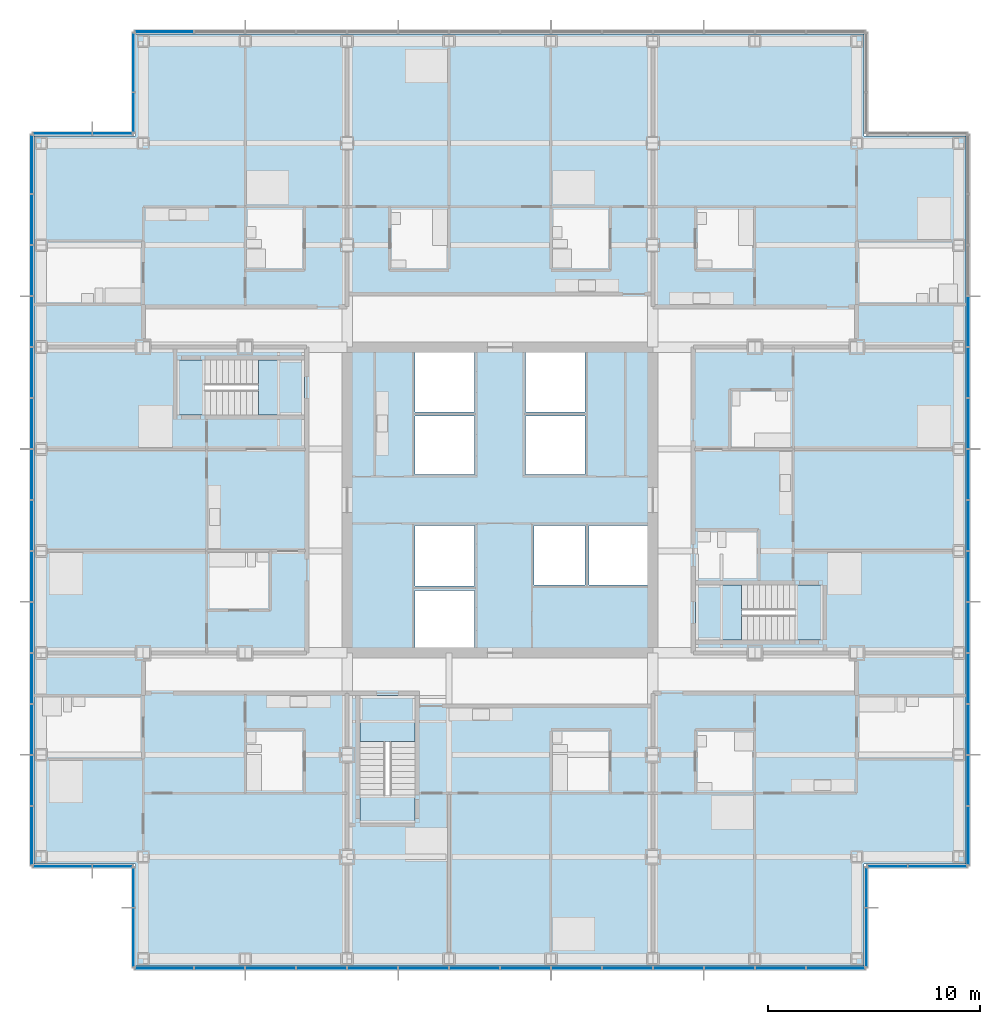
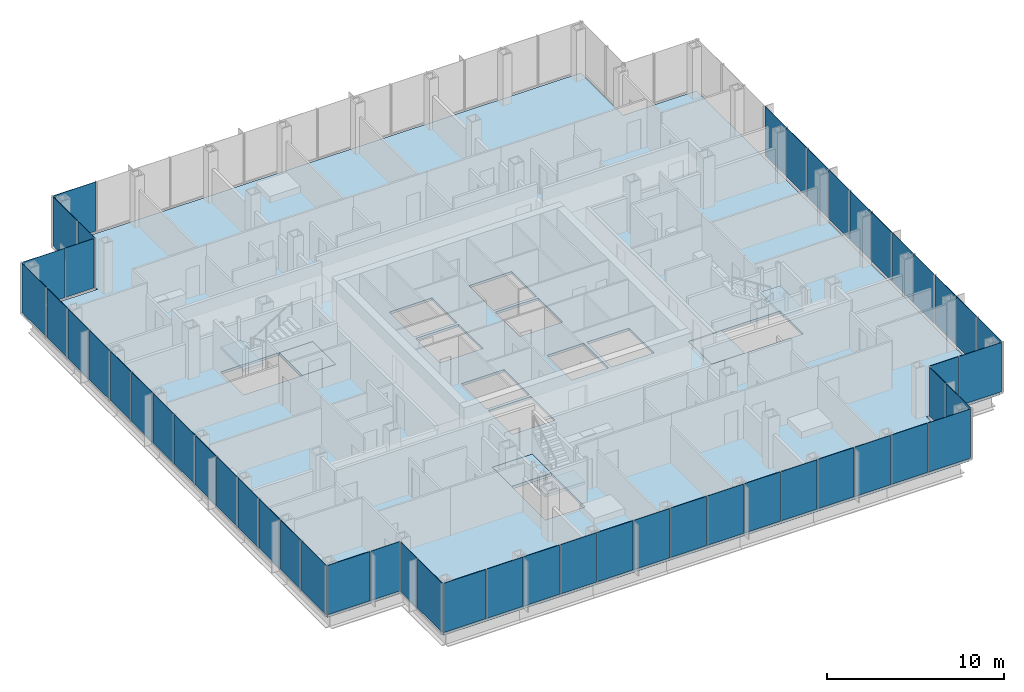
# One storey, part 12 of 21: 52 plates, 7 slabs, 13 elements without a shape of their own.
"""IFC4 building model written with IfcOpenShell, lengths in metres."""

from ifc_helpers import new_model, si_unit, direction, frame, origin, origin_2d, place, context, subcontext, project, spatial, polyline, rectangle, outline, extrude, material, layer, layer_set, type_object, element, aggregate, save


model = new_model("IFC4")

# Units and contexts
model_context = context("Model", 3, precision=1e-05, world=origin(), true_north=direction((0.0, 1.0)))
body_context = subcontext(model_context, "Body", "Model", "MODEL_VIEW")
ifc_project = project(units=[si_unit("LENGTHUNIT", "METRE"), si_unit("AREAUNIT", "SQUARE_METRE"), si_unit("VOLUMEUNIT", "CUBIC_METRE"), si_unit("PLANEANGLEUNIT", "RADIAN"), si_unit("MASSUNIT", "GRAM", prefix="KILO")], contexts=[model_context])

# Site, building, storey
site_placement = place(None, origin())
site = spatial("IfcSite", under=ifc_project, at=site_placement, CompositionType="ELEMENT")
building_placement = place(site_placement, origin())
building = spatial("IfcBuilding", under=site, at=building_placement, Name="Kvirike Care Tower", CompositionType="ELEMENT")
storey_placement = place(building_placement, frame((0.0, 0.0, 65.5)))
storey = spatial("IfcBuildingStorey", under=building, at=storey_placement, Name="L17", CompositionType="ELEMENT", Elevation=65.5)

# Slab
ifc_material_1 = material(Name="Concrete C35/45", Category="concrete")
ifc_layer_1 = layer(ifc_material_1, 0.169921875)
ifc_layer_set_1 = layer_set([ifc_layer_1], Name="FLOOR SLAB 170")
slab_type_1 = type_object("IfcSlabType", Name="FLOOR SLAB 170", PredefinedType="FLOOR", material=ifc_layer_set_1)
slab_1_placement = place(storey_placement, frame((0.0, 0.0, -0.169921875)))
element("IfcSlab", 1, at=slab_1_placement, inside=storey, type_object=slab_type_1, Name="Floor slab L17", PredefinedType="FLOOR", context=body_context, shape_type="SweptSolid", body=[
    extrude(outline(polyline([(-0.35009765625, 53.14990234375), (-0.35009765625, 18.85009765625), (4.449951171875, 18.85009765625), (4.449951171875, 14.050048828125), (38.75, 14.050048828125), (38.75, 18.85009765625), (43.550048828125, 18.85009765625), (43.550048828125, 53.14990234375), (38.75, 53.14990234375), (38.75, 57.949951171875), (4.449951171875, 57.949951171875), (4.449951171875, 53.14990234375), (-0.35009765625, 53.14990234375)]), holes=[polyline([(17.60009765625, 29.050048828125), (17.60009765625, 31.75), (20.39990234375, 31.75), (20.39990234375, 29.050048828125), (17.60009765625, 29.050048828125)]), polyline([(17.60009765625, 31.949951171875), (17.60009765625, 34.800048828125), (20.39990234375, 34.800048828125), (20.39990234375, 31.949951171875), (17.60009765625, 31.949951171875)]), polyline([(17.60009765625, 37.199951171875), (17.60009765625, 39.949951171875), (20.39990234375, 39.949951171875), (20.39990234375, 37.199951171875), (17.60009765625, 37.199951171875)]), polyline([(17.60009765625, 40.14990234375), (17.60009765625, 42.949951171875), (20.39990234375, 42.949951171875), (20.39990234375, 40.14990234375), (17.60009765625, 40.14990234375)]), polyline([(22.800048828125, 37.199951171875), (22.800048828125, 39.949951171875), (25.60009765625, 39.949951171875), (25.60009765625, 37.199951171875), (22.800048828125, 37.199951171875)]), polyline([(22.800048828125, 40.14990234375), (22.800048828125, 42.949951171875), (25.60009765625, 42.949951171875), (25.60009765625, 40.14990234375), (22.800048828125, 40.14990234375)]), polyline([(23.199951171875, 32.0), (23.199951171875, 34.800048828125), (25.60009765625, 34.800048828125), (25.60009765625, 32.0), (23.199951171875, 32.0)]), polyline([(25.800048828125, 32.0), (25.800048828125, 34.800048828125), (28.550048828125, 34.800048828125), (28.550048828125, 32.0), (25.800048828125, 32.0)]), polyline([(12.39990234375, 42.60009765625), (12.39990234375, 40.0), (6.39990234375, 40.0), (6.39990234375, 42.60009765625), (12.39990234375, 42.60009765625)]), polyline([(30.800048828125, 29.39990234375), (30.800048828125, 32.0), (36.800048828125, 32.0), (36.800048828125, 29.39990234375), (30.800048828125, 29.39990234375)]), polyline([(15.0, 26.800048828125), (17.60009765625, 26.800048828125), (17.60009765625, 20.800048828125), (15.0, 20.800048828125), (15.0, 26.800048828125)])]), origin(), (0.0, 0.0, 1.0), 0.169921875),
])

# Stair, slabs
ifc_material_2 = material(Name="Concrete C35/45", Category="concrete")
stair_type = type_object("IfcStairType", Name="STAIR 20 RISERS", PredefinedType="HALF_TURN_STAIR", material=ifc_material_2)
stair_1_placement = place(storey_placement, origin())
stair_1 = element("IfcStair", 2, at=stair_1_placement, inside=storey, type_object=stair_type, Name="Stair 1 L17", PredefinedType="HALF_TURN_STAIR")
ifc_material_3 = material(Name="Concrete C35/45", Category="concrete")
ifc_layer_2 = layer(ifc_material_3, 0.199951171875)
ifc_layer_set_2 = layer_set([ifc_layer_2], Name="STAIR LANDING 200")
slab_type_2 = type_object("IfcSlabType", Name="STAIR LANDING 200", PredefinedType="LANDING", material=ifc_layer_set_2)
slab_2_placement = place(storey_placement, frame((0.0, 0.0, -0.199951171875)))
slab_2 = element("IfcSlab", 3, at=slab_2_placement, type_object=slab_type_2, Name="Stair S1 floor landing L17", PredefinedType="LANDING", context=body_context, shape_type="SweptSolid", body=[
    extrude(outline(polyline([(10.219970703125, 42.60009765625), (10.219970703125, 40.0), (12.39990234375, 40.0), (12.39990234375, 42.60009765625), (10.219970703125, 42.60009765625)])), origin(), (0.0, 0.0, 1.0), 0.199951171875),
])
slab_3_placement = place(storey_placement, frame((0.0, 0.0, 1.550048828125)))
slab_3 = element("IfcSlab", 4, at=slab_3_placement, type_object=slab_type_2, Name="Stair S1 half landing L17-L18", PredefinedType="LANDING", context=body_context, shape_type="SweptSolid", body=[
    extrude(outline(polyline([(6.39990234375, 42.60009765625), (6.39990234375, 40.0), (7.699951171875, 40.0), (7.699951171875, 42.60009765625), (6.39990234375, 42.60009765625)])), origin(), (0.0, 0.0, 1.0), 0.199951171875),
])
aggregate(stair_1, [slab_2, slab_3])

stair_2_placement = place(storey_placement, origin())
stair_2 = element("IfcStair", 5, at=stair_2_placement, inside=storey, type_object=stair_type, Name="Stair 2 L17", PredefinedType="HALF_TURN_STAIR")
slab_4_placement = place(storey_placement, frame((0.0, 0.0, -0.199951171875)))
slab_4 = element("IfcSlab", 6, at=slab_4_placement, type_object=slab_type_2, Name="Stair S2 floor landing L17", PredefinedType="LANDING", context=body_context, shape_type="SweptSolid", body=[
    extrude(outline(polyline([(32.97998046875, 29.39990234375), (32.97998046875, 32.0), (30.800048828125, 32.0), (30.800048828125, 29.39990234375), (32.97998046875, 29.39990234375)])), origin(), (0.0, 0.0, 1.0), 0.199951171875),
])
slab_5_placement = place(storey_placement, frame((0.0, 0.0, 1.550048828125)))
slab_5 = element("IfcSlab", 7, at=slab_5_placement, type_object=slab_type_2, Name="Stair S2 half landing L17-L18", PredefinedType="LANDING", context=body_context, shape_type="SweptSolid", body=[
    extrude(outline(polyline([(36.800048828125, 29.39990234375), (36.800048828125, 32.0), (35.5, 32.0), (35.5, 29.39990234375), (36.800048828125, 29.39990234375)])), origin(), (0.0, 0.0, 1.0), 0.199951171875),
])
aggregate(stair_2, [slab_4, slab_5])

stair_3_placement = place(storey_placement, origin())
stair_3 = element("IfcStair", 8, at=stair_3_placement, inside=storey, type_object=stair_type, Name="Stair 5 L17", PredefinedType="HALF_TURN_STAIR")
slab_6_placement = place(storey_placement, frame((0.0, 0.0, -0.199951171875)))
slab_6 = element("IfcSlab", 9, at=slab_6_placement, type_object=slab_type_2, Name="Stair S5 floor landing L17", PredefinedType="LANDING", context=body_context, shape_type="SweptSolid", body=[
    extrude(outline(polyline([(15.0, 24.6201171875), (17.60009765625, 24.6201171875), (17.60009765625, 26.800048828125), (15.0, 26.800048828125), (15.0, 24.6201171875)])), origin(), (0.0, 0.0, 1.0), 0.199951171875),
])
slab_7_placement = place(storey_placement, frame((0.0, 0.0, 1.550048828125)))
slab_7 = element("IfcSlab", 10, at=slab_7_placement, type_object=slab_type_2, Name="Stair S5 half landing L17-L18", PredefinedType="LANDING", context=body_context, shape_type="SweptSolid", body=[
    extrude(outline(polyline([(15.0, 20.800048828125), (17.60009765625, 20.800048828125), (17.60009765625, 22.10009765625), (15.0, 22.10009765625), (15.0, 20.800048828125)])), origin(), (0.0, 0.0, 1.0), 0.199951171875),
])
aggregate(stair_3, [slab_6, slab_7])

# Curtain wall, plates
ifc_material_4 = material(Name="Anodised aluminium stick system", Category="aluminium")
curtain_wall_type = type_object("IfcCurtainWallType", Name="CW-A STICK CURTAIN WALL", PredefinedType="NOTDEFINED", material=ifc_material_4)
curtain_wall_1_placement = place(storey_placement, origin())
curtain_wall_1 = element("IfcCurtainWall", 11, at=curtain_wall_1_placement, inside=storey, type_object=curtain_wall_type, Name="Curtain wall L17 face 1", PredefinedType="NOTDEFINED")
ifc_material_5 = material(Name="Tinted double glazed unit", Category="glass")
ifc_layer_3 = layer(ifc_material_5, 0.031982421875)
ifc_layer_set_3 = layer_set([ifc_layer_3], Name="TINTED VISION PANEL 32")
plate_type = type_object("IfcPlateType", Name="TINTED VISION PANEL 32", PredefinedType="CURTAIN_PANEL", material=ifc_layer_set_3)
plate_1_placement = place(storey_placement, frame((-0.449951171875, 51.808837890625, 0.10009765625), z_axis=(0.0, 0.0, 1.0), x_axis=(0.0, -1.0, 0.0)))
plate_1 = element("IfcPlate", 12, at=plate_1_placement, type_object=plate_type, Name="CW-A panel L17 face 1.1", PredefinedType="CURTAIN_PANEL", context=body_context, shape_type="SweptSolid", body=[
    extrude(rectangle(XDim=2.75244140625, YDim=0.031982421875, at=origin_2d()), origin(), (0.0, 0.0, 1.0), 3.39990234375),
])
plate_2_placement = place(storey_placement, frame((-0.449951171875, 49.199951171875, 0.10009765625), z_axis=(0.0, 0.0, 1.0), x_axis=(0.0, -1.0, 0.0)))
plate_2 = element("IfcPlate", 13, at=plate_2_placement, type_object=plate_type, Name="CW-A panel L17 face 1.2", PredefinedType="CURTAIN_PANEL", context=body_context, shape_type="SweptSolid", body=[
    extrude(rectangle(XDim=2.3349609375, YDim=0.031982421875, at=origin_2d()), origin(), (0.0, 0.0, 1.0), 3.39990234375),
])
plate_3_placement = place(storey_placement, frame((-0.449951171875, 46.800048828125, 0.10009765625), z_axis=(0.0, 0.0, 1.0), x_axis=(0.0, -1.0, 0.0)))
plate_3 = element("IfcPlate", 14, at=plate_3_placement, type_object=plate_type, Name="CW-A panel L17 face 1.3", PredefinedType="CURTAIN_PANEL", context=body_context, shape_type="SweptSolid", body=[
    extrude(rectangle(XDim=2.3349609375, YDim=0.031982421875, at=origin_2d()), origin(), (0.0, 0.0, 1.0), 3.39990234375),
])
plate_4_placement = place(storey_placement, frame((-0.449951171875, 44.39990234375, 0.10009765625), z_axis=(0.0, 0.0, 1.0), x_axis=(0.0, -1.0, 0.0)))
plate_4 = element("IfcPlate", 15, at=plate_4_placement, type_object=plate_type, Name="CW-A panel L17 face 1.4", PredefinedType="CURTAIN_PANEL", context=body_context, shape_type="SweptSolid", body=[
    extrude(rectangle(XDim=2.3349609375, YDim=0.031982421875, at=origin_2d()), origin(), (0.0, 0.0, 1.0), 3.39990234375),
])
plate_5_placement = place(storey_placement, frame((-0.449951171875, 42.0, 0.10009765625), z_axis=(0.0, 0.0, 1.0), x_axis=(0.0, -1.0, 0.0)))
plate_5 = element("IfcPlate", 16, at=plate_5_placement, type_object=plate_type, Name="CW-A panel L17 face 1.5", PredefinedType="CURTAIN_PANEL", context=body_context, shape_type="SweptSolid", body=[
    extrude(rectangle(XDim=2.3349609375, YDim=0.031982421875, at=origin_2d()), origin(), (0.0, 0.0, 1.0), 3.39990234375),
])
plate_6_placement = place(storey_placement, frame((-0.449951171875, 39.60009765625, 0.10009765625), z_axis=(0.0, 0.0, 1.0), x_axis=(0.0, -1.0, 0.0)))
plate_6 = element("IfcPlate", 17, at=plate_6_placement, type_object=plate_type, Name="CW-A panel L17 face 1.6", PredefinedType="CURTAIN_PANEL", context=body_context, shape_type="SweptSolid", body=[
    extrude(rectangle(XDim=2.3349609375, YDim=0.031982421875, at=origin_2d()), origin(), (0.0, 0.0, 1.0), 3.39990234375),
])
plate_7_placement = place(storey_placement, frame((-0.449951171875, 37.199951171875, 0.10009765625), z_axis=(0.0, 0.0, 1.0), x_axis=(0.0, -1.0, 0.0)))
plate_7 = element("IfcPlate", 18, at=plate_7_placement, type_object=plate_type, Name="CW-A panel L17 face 1.7", PredefinedType="CURTAIN_PANEL", context=body_context, shape_type="SweptSolid", body=[
    extrude(rectangle(XDim=2.3349609375, YDim=0.031982421875, at=origin_2d()), origin(), (0.0, 0.0, 1.0), 3.39990234375),
])
plate_8_placement = place(storey_placement, frame((-0.449951171875, 34.800048828125, 0.10009765625), z_axis=(0.0, 0.0, 1.0), x_axis=(0.0, -1.0, 0.0)))
plate_8 = element("IfcPlate", 19, at=plate_8_placement, type_object=plate_type, Name="CW-A panel L17 face 1.8", PredefinedType="CURTAIN_PANEL", context=body_context, shape_type="SweptSolid", body=[
    extrude(rectangle(XDim=2.3349609375, YDim=0.031982421875, at=origin_2d()), origin(), (0.0, 0.0, 1.0), 3.39990234375),
])
plate_9_placement = place(storey_placement, frame((-0.449951171875, 32.39990234375, 0.10009765625), z_axis=(0.0, 0.0, 1.0), x_axis=(0.0, -1.0, 0.0)))
plate_9 = element("IfcPlate", 20, at=plate_9_placement, type_object=plate_type, Name="CW-A panel L17 face 1.9", PredefinedType="CURTAIN_PANEL", context=body_context, shape_type="SweptSolid", body=[
    extrude(rectangle(XDim=2.3349609375, YDim=0.031982421875, at=origin_2d()), origin(), (0.0, 0.0, 1.0), 3.39990234375),
])
plate_10_placement = place(storey_placement, frame((-0.449951171875, 30.0, 0.10009765625), z_axis=(0.0, 0.0, 1.0), x_axis=(0.0, -1.0, 0.0)))
plate_10 = element("IfcPlate", 21, at=plate_10_placement, type_object=plate_type, Name="CW-A panel L17 face 1.10", PredefinedType="CURTAIN_PANEL", context=body_context, shape_type="SweptSolid", body=[
    extrude(rectangle(XDim=2.3349609375, YDim=0.031982421875, at=origin_2d()), origin(), (0.0, 0.0, 1.0), 3.39990234375),
])
plate_11_placement = place(storey_placement, frame((-0.449951171875, 27.60009765625, 0.10009765625), z_axis=(0.0, 0.0, 1.0), x_axis=(0.0, -1.0, 0.0)))
plate_11 = element("IfcPlate", 22, at=plate_11_placement, type_object=plate_type, Name="CW-A panel L17 face 1.11", PredefinedType="CURTAIN_PANEL", context=body_context, shape_type="SweptSolid", body=[
    extrude(rectangle(XDim=2.3349609375, YDim=0.031982421875, at=origin_2d()), origin(), (0.0, 0.0, 1.0), 3.39990234375),
])
plate_12_placement = place(storey_placement, frame((-0.449951171875, 25.199951171875, 0.10009765625), z_axis=(0.0, 0.0, 1.0), x_axis=(0.0, -1.0, 0.0)))
plate_12 = element("IfcPlate", 23, at=plate_12_placement, type_object=plate_type, Name="CW-A panel L17 face 1.12", PredefinedType="CURTAIN_PANEL", context=body_context, shape_type="SweptSolid", body=[
    extrude(rectangle(XDim=2.3349609375, YDim=0.031982421875, at=origin_2d()), origin(), (0.0, 0.0, 1.0), 3.39990234375),
])
plate_13_placement = place(storey_placement, frame((-0.449951171875, 22.800048828125, 0.10009765625), z_axis=(0.0, 0.0, 1.0), x_axis=(0.0, -1.0, 0.0)))
plate_13 = element("IfcPlate", 24, at=plate_13_placement, type_object=plate_type, Name="CW-A panel L17 face 1.13", PredefinedType="CURTAIN_PANEL", context=body_context, shape_type="SweptSolid", body=[
    extrude(rectangle(XDim=2.3349609375, YDim=0.031982421875, at=origin_2d()), origin(), (0.0, 0.0, 1.0), 3.39990234375),
])
plate_14_placement = place(storey_placement, frame((-0.449951171875, 20.191162109375, 0.10009765625), z_axis=(0.0, 0.0, 1.0), x_axis=(0.0, -1.0, 0.0)))
plate_14 = element("IfcPlate", 25, at=plate_14_placement, type_object=plate_type, Name="CW-A panel L17 face 1.14", PredefinedType="CURTAIN_PANEL", context=body_context, shape_type="SweptSolid", body=[
    extrude(rectangle(XDim=2.75244140625, YDim=0.031982421875, at=origin_2d()), origin(), (0.0, 0.0, 1.0), 3.39990234375),
])
aggregate(curtain_wall_1, [plate_1, plate_2, plate_3, plate_4, plate_5, plate_6, plate_7, plate_8, plate_9, plate_10, plate_11, plate_12, plate_13, plate_14])

curtain_wall_2_placement = place(storey_placement, origin())
curtain_wall_2 = element("IfcCurtainWall", 26, at=curtain_wall_2_placement, inside=storey, type_object=curtain_wall_type, Name="Curtain wall L17 face 2", PredefinedType="NOTDEFINED")
plate_15_placement = place(storey_placement, frame((0.9912109375, 18.75, 0.10009765625), z_axis=(0.0, 0.0, 1.0), x_axis=(1.0, 0.0, 0.0)))
plate_15 = element("IfcPlate", 27, at=plate_15_placement, type_object=plate_type, Name="CW-A panel L17 face 2.1", PredefinedType="CURTAIN_PANEL", context=body_context, shape_type="SweptSolid", body=[
    extrude(rectangle(XDim=2.75244140625, YDim=0.031982421875, at=origin_2d()), origin(), (0.0, 0.0, 1.0), 3.39990234375),
])
plate_16_placement = place(storey_placement, frame((3.358642578125, 18.75, 0.10009765625), z_axis=(0.0, 0.0, 1.0), x_axis=(1.0, 0.0, 0.0)))
plate_16 = element("IfcPlate", 28, at=plate_16_placement, type_object=plate_type, Name="CW-A panel L17 face 2.2", PredefinedType="CURTAIN_PANEL", context=body_context, shape_type="SweptSolid", body=[
    extrude(rectangle(XDim=1.8525390625, YDim=0.031982421875, at=origin_2d()), origin(), (0.0, 0.0, 1.0), 3.39990234375),
])
aggregate(curtain_wall_2, [plate_15, plate_16])

curtain_wall_3_placement = place(storey_placement, origin())
curtain_wall_3 = element("IfcCurtainWall", 29, at=curtain_wall_3_placement, inside=storey, type_object=curtain_wall_type, Name="Curtain wall L17 face 3", PredefinedType="NOTDEFINED")
plate_17_placement = place(storey_placement, frame((4.35009765625, 17.7587890625, 0.10009765625), z_axis=(0.0, 0.0, 1.0), x_axis=(0.0, -1.0, 0.0)))
plate_17 = element("IfcPlate", 30, at=plate_17_placement, type_object=plate_type, Name="CW-A panel L17 face 3.1", PredefinedType="CURTAIN_PANEL", context=body_context, shape_type="SweptSolid", body=[
    extrude(rectangle(XDim=1.8525390625, YDim=0.031982421875, at=origin_2d()), origin(), (0.0, 0.0, 1.0), 3.39990234375),
])
plate_18_placement = place(storey_placement, frame((4.35009765625, 15.391357421875, 0.10009765625), z_axis=(0.0, 0.0, 1.0), x_axis=(0.0, -1.0, 0.0)))
plate_18 = element("IfcPlate", 31, at=plate_18_placement, type_object=plate_type, Name="CW-A panel L17 face 3.2", PredefinedType="CURTAIN_PANEL", context=body_context, shape_type="SweptSolid", body=[
    extrude(rectangle(XDim=2.75244140625, YDim=0.031982421875, at=origin_2d()), origin(), (0.0, 0.0, 1.0), 3.39990234375),
])
aggregate(curtain_wall_3, [plate_17, plate_18])

curtain_wall_4_placement = place(storey_placement, origin())
curtain_wall_4 = element("IfcCurtainWall", 32, at=curtain_wall_4_placement, inside=storey, type_object=curtain_wall_type, Name="Curtain wall L17 face 4", PredefinedType="NOTDEFINED")
plate_19_placement = place(storey_placement, frame((5.791259765625, 13.949951171875, 0.10009765625), z_axis=(0.0, 0.0, 1.0), x_axis=(1.0, 0.0, 0.0)))
plate_19 = element("IfcPlate", 33, at=plate_19_placement, type_object=plate_type, Name="CW-A panel L17 face 4.1", PredefinedType="CURTAIN_PANEL", context=body_context, shape_type="SweptSolid", body=[
    extrude(rectangle(XDim=2.75244140625, YDim=0.031982421875, at=origin_2d()), origin(), (0.0, 0.0, 1.0), 3.39990234375),
])
plate_20_placement = place(storey_placement, frame((8.39990234375, 13.949951171875, 0.10009765625), z_axis=(0.0, 0.0, 1.0), x_axis=(1.0, 0.0, 0.0)))
plate_20 = element("IfcPlate", 34, at=plate_20_placement, type_object=plate_type, Name="CW-A panel L17 face 4.2", PredefinedType="CURTAIN_PANEL", context=body_context, shape_type="SweptSolid", body=[
    extrude(rectangle(XDim=2.3349609375, YDim=0.031982421875, at=origin_2d()), origin(), (0.0, 0.0, 1.0), 3.39990234375),
])
plate_21_placement = place(storey_placement, frame((10.800048828125, 13.949951171875, 0.10009765625), z_axis=(0.0, 0.0, 1.0), x_axis=(1.0, 0.0, 0.0)))
plate_21 = element("IfcPlate", 35, at=plate_21_placement, type_object=plate_type, Name="CW-A panel L17 face 4.3", PredefinedType="CURTAIN_PANEL", context=body_context, shape_type="SweptSolid", body=[
    extrude(rectangle(XDim=2.3349609375, YDim=0.031982421875, at=origin_2d()), origin(), (0.0, 0.0, 1.0), 3.39990234375),
])
plate_22_placement = place(storey_placement, frame((13.199951171875, 13.949951171875, 0.10009765625), z_axis=(0.0, 0.0, 1.0), x_axis=(1.0, 0.0, 0.0)))
plate_22 = element("IfcPlate", 36, at=plate_22_placement, type_object=plate_type, Name="CW-A panel L17 face 4.4", PredefinedType="CURTAIN_PANEL", context=body_context, shape_type="SweptSolid", body=[
    extrude(rectangle(XDim=2.3349609375, YDim=0.031982421875, at=origin_2d()), origin(), (0.0, 0.0, 1.0), 3.39990234375),
])
plate_23_placement = place(storey_placement, frame((15.60009765625, 13.949951171875, 0.10009765625), z_axis=(0.0, 0.0, 1.0), x_axis=(1.0, 0.0, 0.0)))
plate_23 = element("IfcPlate", 37, at=plate_23_placement, type_object=plate_type, Name="CW-A panel L17 face 4.5", PredefinedType="CURTAIN_PANEL", context=body_context, shape_type="SweptSolid", body=[
    extrude(rectangle(XDim=2.3349609375, YDim=0.031982421875, at=origin_2d()), origin(), (0.0, 0.0, 1.0), 3.39990234375),
])
plate_24_placement = place(storey_placement, frame((18.0, 13.949951171875, 0.10009765625), z_axis=(0.0, 0.0, 1.0), x_axis=(1.0, 0.0, 0.0)))
plate_24 = element("IfcPlate", 38, at=plate_24_placement, type_object=plate_type, Name="CW-A panel L17 face 4.6", PredefinedType="CURTAIN_PANEL", context=body_context, shape_type="SweptSolid", body=[
    extrude(rectangle(XDim=2.3349609375, YDim=0.031982421875, at=origin_2d()), origin(), (0.0, 0.0, 1.0), 3.39990234375),
])
plate_25_placement = place(storey_placement, frame((20.39990234375, 13.949951171875, 0.10009765625), z_axis=(0.0, 0.0, 1.0), x_axis=(1.0, 0.0, 0.0)))
plate_25 = element("IfcPlate", 39, at=plate_25_placement, type_object=plate_type, Name="CW-A panel L17 face 4.7", PredefinedType="CURTAIN_PANEL", context=body_context, shape_type="SweptSolid", body=[
    extrude(rectangle(XDim=2.3349609375, YDim=0.031982421875, at=origin_2d()), origin(), (0.0, 0.0, 1.0), 3.39990234375),
])
plate_26_placement = place(storey_placement, frame((22.800048828125, 13.949951171875, 0.10009765625), z_axis=(0.0, 0.0, 1.0), x_axis=(1.0, 0.0, 0.0)))
plate_26 = element("IfcPlate", 40, at=plate_26_placement, type_object=plate_type, Name="CW-A panel L17 face 4.8", PredefinedType="CURTAIN_PANEL", context=body_context, shape_type="SweptSolid", body=[
    extrude(rectangle(XDim=2.3349609375, YDim=0.031982421875, at=origin_2d()), origin(), (0.0, 0.0, 1.0), 3.39990234375),
])
plate_27_placement = place(storey_placement, frame((25.199951171875, 13.949951171875, 0.10009765625), z_axis=(0.0, 0.0, 1.0), x_axis=(1.0, 0.0, 0.0)))
plate_27 = element("IfcPlate", 41, at=plate_27_placement, type_object=plate_type, Name="CW-A panel L17 face 4.9", PredefinedType="CURTAIN_PANEL", context=body_context, shape_type="SweptSolid", body=[
    extrude(rectangle(XDim=2.3349609375, YDim=0.031982421875, at=origin_2d()), origin(), (0.0, 0.0, 1.0), 3.39990234375),
])
plate_28_placement = place(storey_placement, frame((27.60009765625, 13.949951171875, 0.10009765625), z_axis=(0.0, 0.0, 1.0), x_axis=(1.0, 0.0, 0.0)))
plate_28 = element("IfcPlate", 42, at=plate_28_placement, type_object=plate_type, Name="CW-A panel L17 face 4.10", PredefinedType="CURTAIN_PANEL", context=body_context, shape_type="SweptSolid", body=[
    extrude(rectangle(XDim=2.3349609375, YDim=0.031982421875, at=origin_2d()), origin(), (0.0, 0.0, 1.0), 3.39990234375),
])
plate_29_placement = place(storey_placement, frame((30.0, 13.949951171875, 0.10009765625), z_axis=(0.0, 0.0, 1.0), x_axis=(1.0, 0.0, 0.0)))
plate_29 = element("IfcPlate", 43, at=plate_29_placement, type_object=plate_type, Name="CW-A panel L17 face 4.11", PredefinedType="CURTAIN_PANEL", context=body_context, shape_type="SweptSolid", body=[
    extrude(rectangle(XDim=2.3349609375, YDim=0.031982421875, at=origin_2d()), origin(), (0.0, 0.0, 1.0), 3.39990234375),
])
plate_30_placement = place(storey_placement, frame((32.39990234375, 13.949951171875, 0.10009765625), z_axis=(0.0, 0.0, 1.0), x_axis=(1.0, 0.0, 0.0)))
plate_30 = element("IfcPlate", 44, at=plate_30_placement, type_object=plate_type, Name="CW-A panel L17 face 4.12", PredefinedType="CURTAIN_PANEL", context=body_context, shape_type="SweptSolid", body=[
    extrude(rectangle(XDim=2.3349609375, YDim=0.031982421875, at=origin_2d()), origin(), (0.0, 0.0, 1.0), 3.39990234375),
])
plate_31_placement = place(storey_placement, frame((34.800048828125, 13.949951171875, 0.10009765625), z_axis=(0.0, 0.0, 1.0), x_axis=(1.0, 0.0, 0.0)))
plate_31 = element("IfcPlate", 45, at=plate_31_placement, type_object=plate_type, Name="CW-A panel L17 face 4.13", PredefinedType="CURTAIN_PANEL", context=body_context, shape_type="SweptSolid", body=[
    extrude(rectangle(XDim=2.3349609375, YDim=0.031982421875, at=origin_2d()), origin(), (0.0, 0.0, 1.0), 3.39990234375),
])
plate_32_placement = place(storey_placement, frame((37.40869140625, 13.949951171875, 0.10009765625), z_axis=(0.0, 0.0, 1.0), x_axis=(1.0, 0.0, 0.0)))
plate_32 = element("IfcPlate", 46, at=plate_32_placement, type_object=plate_type, Name="CW-A panel L17 face 4.14", PredefinedType="CURTAIN_PANEL", context=body_context, shape_type="SweptSolid", body=[
    extrude(rectangle(XDim=2.75244140625, YDim=0.031982421875, at=origin_2d()), origin(), (0.0, 0.0, 1.0), 3.39990234375),
])
aggregate(curtain_wall_4, [plate_19, plate_20, plate_21, plate_22, plate_23, plate_24, plate_25, plate_26, plate_27, plate_28, plate_29, plate_30, plate_31, plate_32])

curtain_wall_5_placement = place(storey_placement, origin())
curtain_wall_5 = element("IfcCurtainWall", 47, at=curtain_wall_5_placement, inside=storey, type_object=curtain_wall_type, Name="Curtain wall L17 face 5", PredefinedType="NOTDEFINED")
plate_33_placement = place(storey_placement, frame((38.85009765625, 15.391357421875, 0.10009765625), z_axis=(0.0, 0.0, 1.0), x_axis=(0.0, 1.0, 0.0)))
plate_33 = element("IfcPlate", 48, at=plate_33_placement, type_object=plate_type, Name="CW-A panel L17 face 5.1", PredefinedType="CURTAIN_PANEL", context=body_context, shape_type="SweptSolid", body=[
    extrude(rectangle(XDim=2.75244140625, YDim=0.031982421875, at=origin_2d()), origin(), (0.0, 0.0, 1.0), 3.39990234375),
])
plate_34_placement = place(storey_placement, frame((38.85009765625, 17.7587890625, 0.10009765625), z_axis=(0.0, 0.0, 1.0), x_axis=(0.0, 1.0, 0.0)))
plate_34 = element("IfcPlate", 49, at=plate_34_placement, type_object=plate_type, Name="CW-A panel L17 face 5.2", PredefinedType="CURTAIN_PANEL", context=body_context, shape_type="SweptSolid", body=[
    extrude(rectangle(XDim=1.8525390625, YDim=0.031982421875, at=origin_2d()), origin(), (0.0, 0.0, 1.0), 3.39990234375),
])
aggregate(curtain_wall_5, [plate_33, plate_34])

curtain_wall_6_placement = place(storey_placement, origin())
curtain_wall_6 = element("IfcCurtainWall", 50, at=curtain_wall_6_placement, inside=storey, type_object=curtain_wall_type, Name="Curtain wall L17 face 6", PredefinedType="NOTDEFINED")
plate_35_placement = place(storey_placement, frame((39.84130859375, 18.75, 0.10009765625), z_axis=(0.0, 0.0, 1.0), x_axis=(1.0, 0.0, 0.0)))
plate_35 = element("IfcPlate", 51, at=plate_35_placement, type_object=plate_type, Name="CW-A panel L17 face 6.1", PredefinedType="CURTAIN_PANEL", context=body_context, shape_type="SweptSolid", body=[
    extrude(rectangle(XDim=1.8525390625, YDim=0.031982421875, at=origin_2d()), origin(), (0.0, 0.0, 1.0), 3.39990234375),
])
plate_36_placement = place(storey_placement, frame((42.208740234375, 18.75, 0.10009765625), z_axis=(0.0, 0.0, 1.0), x_axis=(1.0, 0.0, 0.0)))
plate_36 = element("IfcPlate", 52, at=plate_36_placement, type_object=plate_type, Name="CW-A panel L17 face 6.2", PredefinedType="CURTAIN_PANEL", context=body_context, shape_type="SweptSolid", body=[
    extrude(rectangle(XDim=2.75244140625, YDim=0.031982421875, at=origin_2d()), origin(), (0.0, 0.0, 1.0), 3.39990234375),
])
aggregate(curtain_wall_6, [plate_35, plate_36])

curtain_wall_7_placement = place(storey_placement, origin())
curtain_wall_7 = element("IfcCurtainWall", 53, at=curtain_wall_7_placement, inside=storey, type_object=curtain_wall_type, Name="Curtain wall L17 face 7", PredefinedType="NOTDEFINED")
plate_37_placement = place(storey_placement, frame((43.64990234375, 20.191162109375, 0.10009765625), z_axis=(0.0, 0.0, 1.0), x_axis=(0.0, 1.0, 0.0)))
plate_37 = element("IfcPlate", 54, at=plate_37_placement, type_object=plate_type, Name="CW-A panel L17 face 7.1", PredefinedType="CURTAIN_PANEL", context=body_context, shape_type="SweptSolid", body=[
    extrude(rectangle(XDim=2.75244140625, YDim=0.031982421875, at=origin_2d()), origin(), (0.0, 0.0, 1.0), 3.39990234375),
])
plate_38_placement = place(storey_placement, frame((43.64990234375, 22.800048828125, 0.10009765625), z_axis=(0.0, 0.0, 1.0), x_axis=(0.0, 1.0, 0.0)))
plate_38 = element("IfcPlate", 55, at=plate_38_placement, type_object=plate_type, Name="CW-A panel L17 face 7.2", PredefinedType="CURTAIN_PANEL", context=body_context, shape_type="SweptSolid", body=[
    extrude(rectangle(XDim=2.3349609375, YDim=0.031982421875, at=origin_2d()), origin(), (0.0, 0.0, 1.0), 3.39990234375),
])
plate_39_placement = place(storey_placement, frame((43.64990234375, 25.199951171875, 0.10009765625), z_axis=(0.0, 0.0, 1.0), x_axis=(0.0, 1.0, 0.0)))
plate_39 = element("IfcPlate", 56, at=plate_39_placement, type_object=plate_type, Name="CW-A panel L17 face 7.3", PredefinedType="CURTAIN_PANEL", context=body_context, shape_type="SweptSolid", body=[
    extrude(rectangle(XDim=2.3349609375, YDim=0.031982421875, at=origin_2d()), origin(), (0.0, 0.0, 1.0), 3.39990234375),
])
plate_40_placement = place(storey_placement, frame((43.64990234375, 27.60009765625, 0.10009765625), z_axis=(0.0, 0.0, 1.0), x_axis=(0.0, 1.0, 0.0)))
plate_40 = element("IfcPlate", 57, at=plate_40_placement, type_object=plate_type, Name="CW-A panel L17 face 7.4", PredefinedType="CURTAIN_PANEL", context=body_context, shape_type="SweptSolid", body=[
    extrude(rectangle(XDim=2.3349609375, YDim=0.031982421875, at=origin_2d()), origin(), (0.0, 0.0, 1.0), 3.39990234375),
])
plate_41_placement = place(storey_placement, frame((43.64990234375, 30.0, 0.10009765625), z_axis=(0.0, 0.0, 1.0), x_axis=(0.0, 1.0, 0.0)))
plate_41 = element("IfcPlate", 58, at=plate_41_placement, type_object=plate_type, Name="CW-A panel L17 face 7.5", PredefinedType="CURTAIN_PANEL", context=body_context, shape_type="SweptSolid", body=[
    extrude(rectangle(XDim=2.3349609375, YDim=0.031982421875, at=origin_2d()), origin(), (0.0, 0.0, 1.0), 3.39990234375),
])
plate_42_placement = place(storey_placement, frame((43.64990234375, 32.39990234375, 0.10009765625), z_axis=(0.0, 0.0, 1.0), x_axis=(0.0, 1.0, 0.0)))
plate_42 = element("IfcPlate", 59, at=plate_42_placement, type_object=plate_type, Name="CW-A panel L17 face 7.6", PredefinedType="CURTAIN_PANEL", context=body_context, shape_type="SweptSolid", body=[
    extrude(rectangle(XDim=2.3349609375, YDim=0.031982421875, at=origin_2d()), origin(), (0.0, 0.0, 1.0), 3.39990234375),
])
plate_43_placement = place(storey_placement, frame((43.64990234375, 34.800048828125, 0.10009765625), z_axis=(0.0, 0.0, 1.0), x_axis=(0.0, 1.0, 0.0)))
plate_43 = element("IfcPlate", 60, at=plate_43_placement, type_object=plate_type, Name="CW-A panel L17 face 7.7", PredefinedType="CURTAIN_PANEL", context=body_context, shape_type="SweptSolid", body=[
    extrude(rectangle(XDim=2.3349609375, YDim=0.031982421875, at=origin_2d()), origin(), (0.0, 0.0, 1.0), 3.39990234375),
])
plate_44_placement = place(storey_placement, frame((43.64990234375, 37.199951171875, 0.10009765625), z_axis=(0.0, 0.0, 1.0), x_axis=(0.0, 1.0, 0.0)))
plate_44 = element("IfcPlate", 61, at=plate_44_placement, type_object=plate_type, Name="CW-A panel L17 face 7.8", PredefinedType="CURTAIN_PANEL", context=body_context, shape_type="SweptSolid", body=[
    extrude(rectangle(XDim=2.3349609375, YDim=0.031982421875, at=origin_2d()), origin(), (0.0, 0.0, 1.0), 3.39990234375),
])
plate_45_placement = place(storey_placement, frame((43.64990234375, 39.60009765625, 0.10009765625), z_axis=(0.0, 0.0, 1.0), x_axis=(0.0, 1.0, 0.0)))
plate_45 = element("IfcPlate", 62, at=plate_45_placement, type_object=plate_type, Name="CW-A panel L17 face 7.9", PredefinedType="CURTAIN_PANEL", context=body_context, shape_type="SweptSolid", body=[
    extrude(rectangle(XDim=2.3349609375, YDim=0.031982421875, at=origin_2d()), origin(), (0.0, 0.0, 1.0), 3.39990234375),
])
plate_46_placement = place(storey_placement, frame((43.64990234375, 42.0, 0.10009765625), z_axis=(0.0, 0.0, 1.0), x_axis=(0.0, 1.0, 0.0)))
plate_46 = element("IfcPlate", 63, at=plate_46_placement, type_object=plate_type, Name="CW-A panel L17 face 7.10", PredefinedType="CURTAIN_PANEL", context=body_context, shape_type="SweptSolid", body=[
    extrude(rectangle(XDim=2.3349609375, YDim=0.031982421875, at=origin_2d()), origin(), (0.0, 0.0, 1.0), 3.39990234375),
])
plate_47_placement = place(storey_placement, frame((43.64990234375, 44.39990234375, 0.10009765625), z_axis=(0.0, 0.0, 1.0), x_axis=(0.0, 1.0, 0.0)))
plate_47 = element("IfcPlate", 64, at=plate_47_placement, type_object=plate_type, Name="CW-A panel L17 face 7.11", PredefinedType="CURTAIN_PANEL", context=body_context, shape_type="SweptSolid", body=[
    extrude(rectangle(XDim=2.3349609375, YDim=0.031982421875, at=origin_2d()), origin(), (0.0, 0.0, 1.0), 3.39990234375),
])
aggregate(curtain_wall_7, [plate_37, plate_38, plate_39, plate_40, plate_41, plate_42, plate_43, plate_44, plate_45, plate_46, plate_47])

# Curtain wall, plate
curtain_wall_8_placement = place(storey_placement, origin())
curtain_wall_8 = element("IfcCurtainWall", 65, at=curtain_wall_8_placement, inside=storey, type_object=curtain_wall_type, Name="Curtain wall L17 face 10", PredefinedType="NOTDEFINED")
plate_48_placement = place(storey_placement, frame((5.791259765625, 58.050048828125, 0.10009765625), z_axis=(0.0, 0.0, 1.0), x_axis=(-1.0, 0.0, 0.0)))
plate_48 = element("IfcPlate", 66, at=plate_48_placement, type_object=plate_type, Name="CW-A panel L17 face 10.14", PredefinedType="CURTAIN_PANEL", context=body_context, shape_type="SweptSolid", body=[
    extrude(rectangle(XDim=2.75244140625, YDim=0.031982421875, at=origin_2d()), origin(), (0.0, 0.0, 1.0), 3.39990234375),
])
aggregate(curtain_wall_8, [plate_48])

# Curtain wall, plates
curtain_wall_9_placement = place(storey_placement, origin())
curtain_wall_9 = element("IfcCurtainWall", 67, at=curtain_wall_9_placement, inside=storey, type_object=curtain_wall_type, Name="Curtain wall L17 face 11", PredefinedType="NOTDEFINED")
plate_49_placement = place(storey_placement, frame((4.35009765625, 56.608642578125, 0.10009765625), z_axis=(0.0, 0.0, 1.0), x_axis=(0.0, -1.0, 0.0)))
plate_49 = element("IfcPlate", 68, at=plate_49_placement, type_object=plate_type, Name="CW-A panel L17 face 11.1", PredefinedType="CURTAIN_PANEL", context=body_context, shape_type="SweptSolid", body=[
    extrude(rectangle(XDim=2.75244140625, YDim=0.031982421875, at=origin_2d()), origin(), (0.0, 0.0, 1.0), 3.39990234375),
])
plate_50_placement = place(storey_placement, frame((4.35009765625, 54.2412109375, 0.10009765625), z_axis=(0.0, 0.0, 1.0), x_axis=(0.0, -1.0, 0.0)))
plate_50 = element("IfcPlate", 69, at=plate_50_placement, type_object=plate_type, Name="CW-A panel L17 face 11.2", PredefinedType="CURTAIN_PANEL", context=body_context, shape_type="SweptSolid", body=[
    extrude(rectangle(XDim=1.8525390625, YDim=0.031982421875, at=origin_2d()), origin(), (0.0, 0.0, 1.0), 3.39990234375),
])
aggregate(curtain_wall_9, [plate_49, plate_50])

curtain_wall_10_placement = place(storey_placement, origin())
curtain_wall_10 = element("IfcCurtainWall", 70, at=curtain_wall_10_placement, inside=storey, type_object=curtain_wall_type, Name="Curtain wall L17 face 12", PredefinedType="NOTDEFINED")
plate_51_placement = place(storey_placement, frame((3.358642578125, 53.25, 0.10009765625), z_axis=(0.0, 0.0, 1.0), x_axis=(-1.0, 0.0, 0.0)))
plate_51 = element("IfcPlate", 71, at=plate_51_placement, type_object=plate_type, Name="CW-A panel L17 face 12.1", PredefinedType="CURTAIN_PANEL", context=body_context, shape_type="SweptSolid", body=[
    extrude(rectangle(XDim=1.8525390625, YDim=0.031982421875, at=origin_2d()), origin(), (0.0, 0.0, 1.0), 3.39990234375),
])
plate_52_placement = place(storey_placement, frame((0.9912109375, 53.25, 0.10009765625), z_axis=(0.0, 0.0, 1.0), x_axis=(-1.0, 0.0, 0.0)))
plate_52 = element("IfcPlate", 72, at=plate_52_placement, type_object=plate_type, Name="CW-A panel L17 face 12.2", PredefinedType="CURTAIN_PANEL", context=body_context, shape_type="SweptSolid", body=[
    extrude(rectangle(XDim=2.75244140625, YDim=0.031982421875, at=origin_2d()), origin(), (0.0, 0.0, 1.0), 3.39990234375),
])
aggregate(curtain_wall_10, [plate_51, plate_52])

save(model, "model.ifc")
